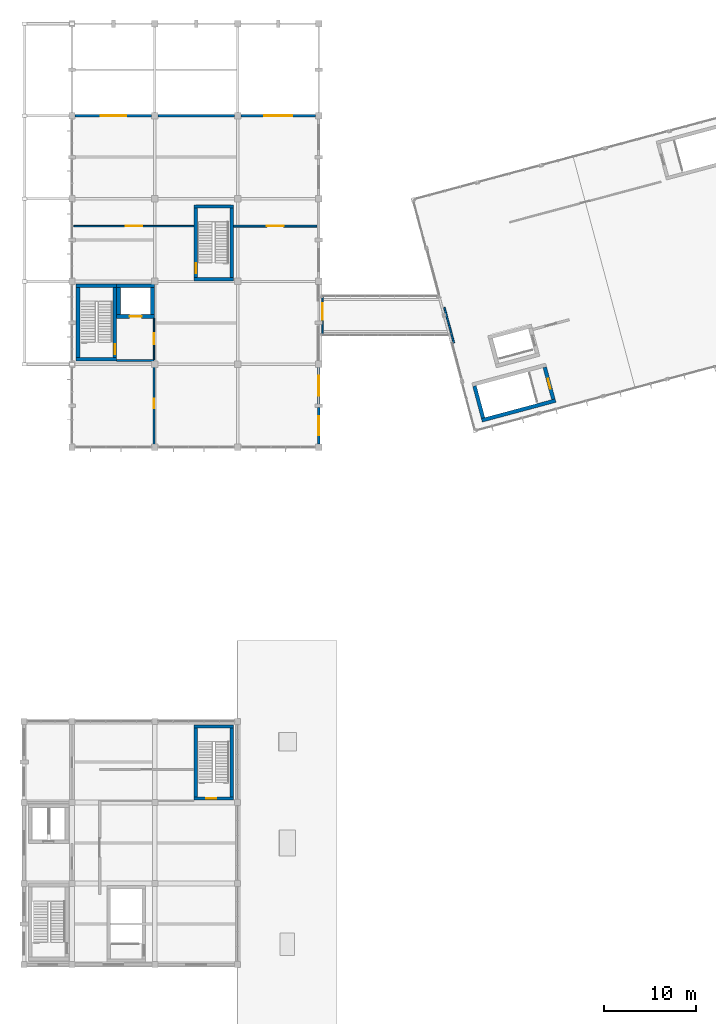
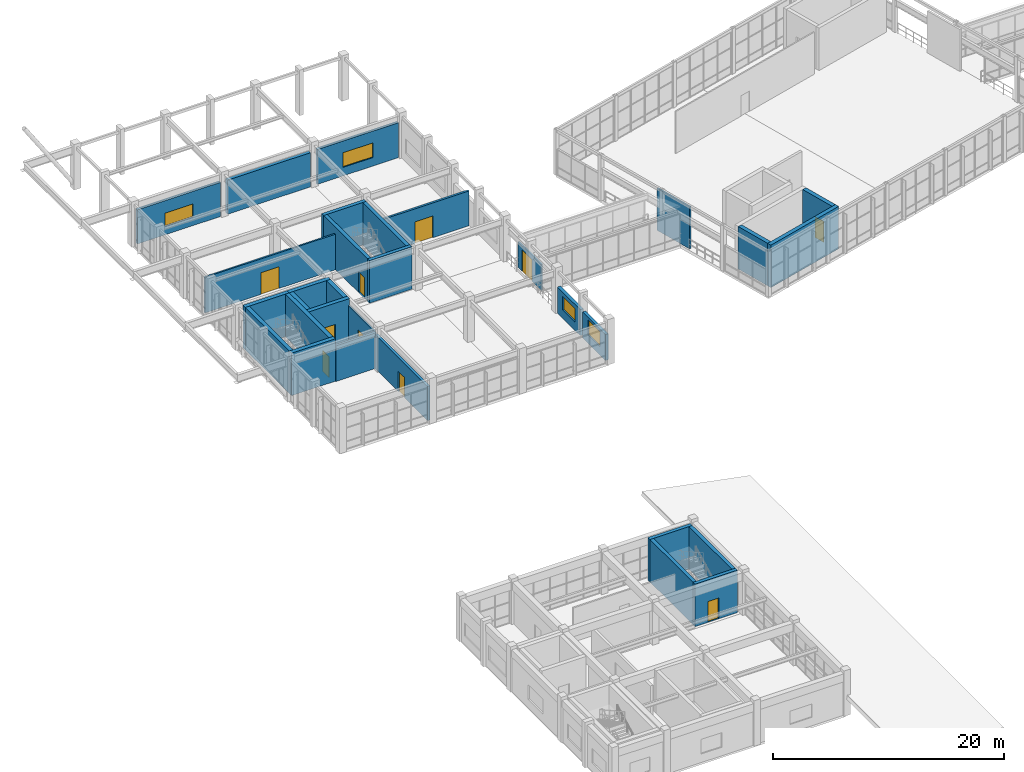
# One storey, part 82 of 99: 31 walls, 10 doors, 4 windows, 14 openings.
"""IFC4 building model written with IfcOpenShell, lengths in metres."""

from ifc_helpers import new_model, si_unit, direction, frame, frame_2d, origin, place, context, subcontext, project, spatial, rectangle, extrude, material, layer, layer_set, type_object, element, fill, save


model = new_model("IFC4")

# Units and contexts
model_context = context("Model", 3, precision=1e-05, world=origin(), true_north=direction((0.0, 1.0)))
body_context = subcontext(model_context, "Body", "Model", "MODEL_VIEW")
ifc_project = project(units=[si_unit("LENGTHUNIT", "METRE"), si_unit("AREAUNIT", "SQUARE_METRE"), si_unit("VOLUMEUNIT", "CUBIC_METRE"), si_unit("PLANEANGLEUNIT", "RADIAN"), si_unit("MASSUNIT", "GRAM", prefix="KILO")], contexts=[model_context])

# Site, building, storey
site_placement = place(None, origin())
site = spatial("IfcSite", under=ifc_project, at=site_placement, CompositionType="ELEMENT")
building_placement = place(site_placement, origin())
building = spatial("IfcBuilding", under=site, at=building_placement, Name="Ventoquebrada Cableway Terminal", CompositionType="ELEMENT")
storey_placement = place(building_placement, frame((0.0, 0.0, 9.60009765625)))
storey = spatial("IfcBuildingStorey", under=building, at=storey_placement, Name="L02", CompositionType="ELEMENT", Elevation=9.60009765625)

# Wall
ifc_material_1 = material(Name="Concrete C40/50", Category="concrete")
ifc_layer_1 = layer(ifc_material_1, 0.39990234375)
ifc_layer_set_1 = layer_set([ifc_layer_1], Name="Concrete C40/50")
wall_type_1 = type_object("IfcWallType", Name="WL-CR1", PredefinedType="SHEAR", material=ifc_layer_set_1)
wall_1_placement = place(storey_placement, frame((8.64990234375, 77.550048828125, 0.0), z_axis=(0.0, 0.0, 1.0), x_axis=(1.0, 0.0, 0.0)))
element("IfcWall", 1, at=wall_1_placement, inside=storey, type_object=wall_type_1, Name="Core shear wall IW-0065", PredefinedType="SHEAR", context=body_context, shape_type="SweptSolid", body=[
    extrude(rectangle(XDim=4.400146484375, YDim=0.39990234375, at=frame_2d((2.2001953125, 0.0))), origin(), (0.0, 0.0, 1.0), 4.489990234375),
])

# Wall, opening, door
wall_2_placement = place(storey_placement, frame((12.85009765625, 77.75, 0.0), z_axis=(0.0, 0.0, 1.0), x_axis=(0.0, 1.0, 0.0)))
wall_2 = element("IfcWall", 2, at=wall_2_placement, inside=storey, type_object=wall_type_1, Name="Core shear wall IW-0066", PredefinedType="SHEAR", context=body_context, shape_type="SweptSolid", body=[
    extrude(rectangle(XDim=7.60009765625, YDim=0.39990234375, at=frame_2d((3.800048828125, 0.0))), origin(), (0.0, 0.0, 1.0), 4.489990234375),
])
opening_1_placement = place(wall_2_placement, frame((0.35009765625, 0.0, 0.0)))
opening_1 = element("IfcOpeningElement", 3, at=opening_1_placement, cuts=wall_2, Name="Opening D-008", PredefinedType="OPENING", context=body_context, shape_type="SweptSolid", body=[
    extrude(rectangle(XDim=1.10009765625, YDim=2.199951171875, at=frame_2d((0.550048828125, 1.10009765625))), frame((0.0, 0.2099609375, 0.0), z_axis=(0.0, -1.0, 0.0), x_axis=(1.0, 0.0, 0.0)), (0.0, 0.0, 1.0), 0.419921875),
])
ifc_material_2 = material(Name="Galvanized fire-rated steel door assembly", Category="steel")
door_type_1 = type_object("IfcDoorType", Name="DT-IN05", OperationType="SINGLE_SWING_LEFT", PredefinedType="DOOR", material=ifc_material_2)
door_1_placement = place(opening_1_placement, origin())
door_1 = element("IfcDoor", 4, at=door_1_placement, inside=storey, type_object=door_type_1, Name="Core K3-S stair fire door D-008", OperationType="SINGLE_SWING_LEFT", OverallHeight=2.199951171875, OverallWidth=1.10009765625, PredefinedType="DOOR", context=body_context, shape_type="SweptSolid", body=[
    extrude(rectangle(XDim=1.10009765625, YDim=2.199951171875, at=frame_2d((0.550048828125, 1.10009765625))), frame((0.0, 0.02490234375, 0.0), z_axis=(0.0, -1.0, 0.0), x_axis=(1.0, 0.0, 0.0)), (0.0, 0.0, 1.0), 0.050048828125),
])
fill(opening_1, door_1)

# Walls
wall_3_placement = place(storey_placement, frame((13.050048828125, 85.550048828125, 0.0), z_axis=(0.0, 0.0, 1.0), x_axis=(-1.0, 0.0, 0.0)))
element("IfcWall", 5, at=wall_3_placement, inside=storey, type_object=wall_type_1, Name="Core shear wall IW-0067", PredefinedType="SHEAR", context=body_context, shape_type="SweptSolid", body=[
    extrude(rectangle(XDim=4.400146484375, YDim=0.39990234375, at=frame_2d((2.2001953125, 0.0))), origin(), (0.0, 0.0, 1.0), 4.489990234375),
])
wall_4_placement = place(storey_placement, frame((8.85009765625, 85.35009765625, 0.0), z_axis=(0.0, 0.0, 1.0), x_axis=(0.0, -1.0, 0.0)))
element("IfcWall", 6, at=wall_4_placement, inside=storey, type_object=wall_type_1, Name="Core shear wall IW-0068", PredefinedType="SHEAR", context=body_context, shape_type="SweptSolid", body=[
    extrude(rectangle(XDim=7.60009765625, YDim=0.39990234375, at=frame_2d((3.800048828125, 0.0))), origin(), (0.0, 0.0, 1.0), 4.489990234375),
])

# Wall, opening, door
wall_5_placement = place(storey_placement, frame((13.050048828125, 82.199951171875, 0.0), z_axis=(0.0, 0.0, 1.0), x_axis=(1.0, 0.0, 0.0)))
wall_5 = element("IfcWall", 7, at=wall_5_placement, inside=storey, type_object=wall_type_1, Name="Core shear wall IW-0069", PredefinedType="SHEAR", context=body_context, shape_type="SweptSolid", body=[
    extrude(rectangle(XDim=4.099853515625, YDim=0.39990234375, at=frame_2d((2.0498046875, 0.0))), origin(), (0.0, 0.0, 1.0), 4.489990234375),
])
opening_2_placement = place(wall_5_placement, frame((1.39990234375, 0.0, 0.0)))
opening_2 = element("IfcOpeningElement", 8, at=opening_2_placement, cuts=wall_5, Name="Opening LD-008", PredefinedType="OPENING", context=body_context, shape_type="SweptSolid", body=[
    extrude(rectangle(XDim=1.300048828125, YDim=2.25, at=frame_2d((0.64990234375, 1.125))), frame((0.0, 0.2099609375, 0.0), z_axis=(0.0, -1.0, 0.0), x_axis=(1.0, 0.0, 0.0)), (0.0, 0.0, 1.0), 0.419921875),
])
ifc_material_3 = material(Name="Brushed stainless steel Grade 316", Category="steel")
door_type_2 = type_object("IfcDoorType", Name="DT-LD02", OperationType="SLIDING_TO_RIGHT", PredefinedType="DOOR", material=ifc_material_3)
door_2_placement = place(opening_2_placement, origin())
door_2 = element("IfcDoor", 9, at=door_2_placement, inside=storey, type_object=door_type_2, Name="Lift landing sliding door LD-008", OperationType="SLIDING_TO_LEFT", OverallHeight=2.25, OverallWidth=1.300048828125, PredefinedType="DOOR", context=body_context, shape_type="SweptSolid", body=[
    extrude(rectangle(XDim=1.300048828125, YDim=2.25, at=frame_2d((0.64990234375, 1.125))), frame((0.0, 0.02490234375, 0.0), z_axis=(0.0, -1.0, 0.0), x_axis=(1.0, 0.0, 0.0)), (0.0, 0.0, 1.0), 0.050048828125),
])
fill(opening_2, door_2)

# Walls
wall_6_placement = place(storey_placement, frame((16.949951171875, 82.39990234375, 0.0), z_axis=(0.0, 0.0, 1.0), x_axis=(0.0, 1.0, 0.0)))
element("IfcWall", 10, at=wall_6_placement, inside=storey, type_object=wall_type_1, Name="Core shear wall IW-0070", PredefinedType="SHEAR", context=body_context, shape_type="SweptSolid", body=[
    extrude(rectangle(XDim=2.9501953125, YDim=0.39990234375, at=frame_2d((1.47509765625, 0.0))), origin(), (0.0, 0.0, 1.0), 4.489990234375),
])
wall_7_placement = place(storey_placement, frame((17.14990234375, 85.550048828125, 0.0), z_axis=(0.0, 0.0, 1.0), x_axis=(-1.0, 0.0, 0.0)))
element("IfcWall", 11, at=wall_7_placement, inside=storey, type_object=wall_type_1, Name="Core shear wall IW-0071", PredefinedType="SHEAR", context=body_context, shape_type="SweptSolid", body=[
    extrude(rectangle(XDim=4.099853515625, YDim=0.39990234375, at=frame_2d((2.0498046875, 0.0))), origin(), (0.0, 0.0, 1.0), 4.489990234375),
])
wall_8_placement = place(storey_placement, frame((13.25, 85.35009765625, 0.0), z_axis=(0.0, 0.0, 1.0), x_axis=(0.0, -1.0, 0.0)))
element("IfcWall", 12, at=wall_8_placement, inside=storey, type_object=wall_type_1, Name="Core shear wall IW-0072", PredefinedType="SHEAR", context=body_context, shape_type="SweptSolid", body=[
    extrude(rectangle(XDim=2.9501953125, YDim=0.39990234375, at=frame_2d((1.47509765625, 0.0))), origin(), (0.0, 0.0, 1.0), 4.489990234375),
])
wall_9_placement = place(storey_placement, frame((52.7109375, 70.912109375, 0.0), z_axis=(0.0, 0.0, 1.0), x_axis=(0.965903141159, 0.258903692322, 0.0)))
element("IfcWall", 13, at=wall_9_placement, inside=storey, type_object=wall_type_1, Name="Core shear wall IW-0113", PredefinedType="SHEAR", context=body_context, shape_type="SweptSolid", body=[
    extrude(rectangle(XDim=8.300048828125, YDim=0.39990234375, at=frame_2d((4.14990234375, 0.0))), origin(), (0.0, 0.0, 1.0), 4.489990234375),
])

# Wall, opening, door
wall_10_placement = place(storey_placement, frame((60.48291015625, 73.201904296875, 0.0), z_axis=(0.0, 0.0, 1.0), x_axis=(-0.258553052639, 0.965997059504, 0.0)))
wall_10 = element("IfcWall", 14, at=wall_10_placement, inside=storey, type_object=wall_type_1, Name="Core shear wall IW-0114", PredefinedType="SHEAR", context=body_context, shape_type="SweptSolid", body=[
    extrude(rectangle(XDim=3.600341796875, YDim=0.39990234375, at=frame_2d((1.80029296875, 0.0))), origin(), (0.0, 0.0, 1.0), 4.489990234375),
])
opening_3_placement = place(wall_10_placement, frame((1.199951171875, 0.0, 0.0)))
opening_3 = element("IfcOpeningElement", 15, at=opening_3_placement, cuts=wall_10, Name="Opening D-014", PredefinedType="OPENING", context=body_context, shape_type="SweptSolid", body=[
    extrude(rectangle(XDim=1.10009765625, YDim=2.199951171875, at=frame_2d((0.550048828125, 1.10009765625))), frame((0.0, 0.2099609375, 0.0), z_axis=(0.0, -1.0, 0.0), x_axis=(1.0, 0.0, 0.0)), (0.0, 0.0, 1.0), 0.419921875),
])
door_3_placement = place(opening_3_placement, origin())
door_3 = element("IfcDoor", 16, at=door_3_placement, inside=storey, type_object=door_type_1, Name="Core K2-S stair fire door D-014", OperationType="SINGLE_SWING_LEFT", OverallHeight=2.199951171875, OverallWidth=1.10009765625, PredefinedType="DOOR", context=body_context, shape_type="SweptSolid", body=[
    extrude(rectangle(XDim=1.10009765625, YDim=2.199951171875, at=frame_2d((0.550048828125, 1.10009765625))), frame((0.0, 0.02490234375, 0.0), z_axis=(0.0, -1.0, 0.0), x_axis=(1.0, 0.0, 0.0)), (0.0, 0.0, 1.0), 0.050048828125),
])
fill(opening_3, door_3)

# Wall
wall_11_placement = place(storey_placement, frame((51.9208984375, 74.635009765625, 0.0), z_axis=(0.0, 0.0, 1.0), x_axis=(0.258616326312, -0.965980121827, 0.0)))
element("IfcWall", 17, at=wall_11_placement, inside=storey, type_object=wall_type_1, Name="Core shear wall IW-0116", PredefinedType="SHEAR", context=body_context, shape_type="SweptSolid", body=[
    extrude(rectangle(XDim=3.6005859375, YDim=0.39990234375, at=frame_2d((1.80029296875, 0.0))), origin(), (0.0, 0.0, 1.0), 4.489990234375),
])

# Wall, opening, window
ifc_material_4 = material(Name="Precast architectural concrete C40/50", Category="concrete")
ifc_layer_2 = layer(ifc_material_4, 0.280029296875)
ifc_layer_set_2 = layer_set([ifc_layer_2], Name="Precast architectural concrete C40/50")
wall_type_2 = type_object("IfcWallType", Name="WL-EX1", PredefinedType="SOLIDWALL", material=ifc_layer_set_2)
wall_12_placement = place(storey_placement, frame((35.0, 68.344970703125, 0.0), z_axis=(0.0, 0.0, 1.0), x_axis=(0.0, 1.0, 0.0)))
wall_12 = element("IfcWall", 18, at=wall_12_placement, inside=storey, type_object=wall_type_2, Name="Exterior architectural wall EW-0154", PredefinedType="SOLIDWALL", context=body_context, shape_type="SweptSolid", body=[
    extrude(rectangle(XDim=3.9599609375, YDim=0.280029296875, at=frame_2d((1.97998046875, 0.0))), origin(), (0.0, 0.0, 1.0), 2.751953125),
])
opening_4_placement = place(wall_12_placement, frame((0.929931640625, 0.0, 0.89990234375)))
opening_4 = element("IfcOpeningElement", 19, at=opening_4_placement, cuts=wall_12, Name="Opening WN-068", PredefinedType="OPENING", context=body_context, shape_type="SweptSolid", body=[
    extrude(rectangle(XDim=2.10009765625, YDim=1.550048828125, at=frame_2d((1.050048828125, 0.77490234375))), frame((0.0, 0.14990234375, 0.0), z_axis=(0.0, -1.0, 0.0), x_axis=(1.0, 0.0, 0.0)), (0.0, 0.0, 1.0), 0.300048828125),
])
ifc_material_5 = material(Name="Double low-e laminated safety glazing", Category="glass")
window_type_1 = type_object("IfcWindowType", Name="WT-08", PartitioningType="SINGLE_PANEL", PredefinedType="WINDOW", material=ifc_material_5)
window_1_placement = place(opening_4_placement, origin())
window_1 = element("IfcWindow", 20, at=window_1_placement, inside=storey, type_object=window_type_1, Name="Architectural punched window WN-068", OverallHeight=1.550048828125, OverallWidth=2.10009765625, PartitioningType="SINGLE_PANEL", PredefinedType="WINDOW", context=body_context, shape_type="SweptSolid", body=[
    extrude(rectangle(XDim=2.10009765625, YDim=1.550048828125, at=frame_2d((1.050048828125, 0.77490234375))), frame((0.0, 0.030029296875, 0.0), z_axis=(0.0, -1.0, 0.0), x_axis=(1.0, 0.0, 0.0)), (0.0, 0.0, 1.0), 0.06005859375),
])
fill(opening_4, window_1)

wall_13_placement = place(storey_placement, frame((16.85498046875, 104.0, 0.0), z_axis=(0.0, 0.0, 1.0), x_axis=(-1.0, 0.0, 0.0)))
wall_13 = element("IfcWall", 21, at=wall_13_placement, inside=storey, type_object=wall_type_2, Name="Exterior architectural wall EW-0160", PredefinedType="SOLIDWALL", context=body_context, shape_type="SweptSolid", body=[
    extrude(rectangle(XDim=8.31005859375, YDim=0.280029296875, at=frame_2d((4.155029296875, 0.0))), origin(), (0.0, 0.0, 1.0), 3.614013671875),
])
opening_5_placement = place(wall_13_placement, frame((2.7548828125, 0.0, 0.89990234375)))
opening_5 = element("IfcOpeningElement", 22, at=opening_5_placement, cuts=wall_13, Name="Opening WN-073", PredefinedType="OPENING", context=body_context, shape_type="SweptSolid", body=[
    extrude(rectangle(XDim=2.800048828125, YDim=1.39990234375, at=frame_2d((1.39990234375, 0.699951171875))), frame((0.0, 0.14990234375, 0.0), z_axis=(0.0, -1.0, 0.0), x_axis=(1.0, 0.0, 0.0)), (0.0, 0.0, 1.0), 0.300048828125),
])
window_type_2 = type_object("IfcWindowType", Name="WT-13", PartitioningType="SINGLE_PANEL", PredefinedType="WINDOW", material=ifc_material_5)
window_2_placement = place(opening_5_placement, origin())
window_2 = element("IfcWindow", 23, at=window_2_placement, inside=storey, type_object=window_type_2, Name="Architectural punched window WN-073", OverallHeight=1.39990234375, OverallWidth=2.800048828125, PartitioningType="SINGLE_PANEL", PredefinedType="WINDOW", context=body_context, shape_type="SweptSolid", body=[
    extrude(rectangle(XDim=2.800048828125, YDim=1.39990234375, at=frame_2d((1.39990234375, 0.699951171875))), frame((0.0, 0.030029296875, 0.0), z_axis=(0.0, -1.0, 0.0), x_axis=(1.0, 0.0, 0.0)), (0.0, 0.0, 1.0), 0.06005859375),
])
fill(opening_5, window_2)

wall_14_placement = place(storey_placement, frame((34.655029296875, 104.0, 0.0), z_axis=(0.0, 0.0, 1.0), x_axis=(-1.0, 0.0, 0.0)))
wall_14 = element("IfcWall", 24, at=wall_14_placement, inside=storey, type_object=wall_type_2, Name="Exterior architectural wall EW-0162", PredefinedType="SOLIDWALL", context=body_context, shape_type="SweptSolid", body=[
    extrude(rectangle(XDim=8.110107421875, YDim=0.280029296875, at=frame_2d((4.05517578125, 0.0))), origin(), (0.0, 0.0, 1.0), 3.68701171875),
])
opening_6_placement = place(wall_14_placement, frame((2.554931640625, 0.0, 0.89990234375)))
opening_6 = element("IfcOpeningElement", 25, at=opening_6_placement, cuts=wall_14, Name="Opening WN-074", PredefinedType="OPENING", context=body_context, shape_type="SweptSolid", body=[
    extrude(rectangle(XDim=3.0, YDim=1.550048828125, at=frame_2d((1.5, 0.77490234375))), frame((0.0, 0.14990234375, 0.0), z_axis=(0.0, -1.0, 0.0), x_axis=(1.0, 0.0, 0.0)), (0.0, 0.0, 1.0), 0.300048828125),
])
window_type_3 = type_object("IfcWindowType", Name="WT-14", PartitioningType="SINGLE_PANEL", PredefinedType="WINDOW", material=ifc_material_5)
window_3_placement = place(opening_6_placement, origin())
window_3 = element("IfcWindow", 26, at=window_3_placement, inside=storey, type_object=window_type_3, Name="Architectural punched window WN-074", OverallHeight=1.550048828125, OverallWidth=3.0, PartitioningType="SINGLE_PANEL", PredefinedType="WINDOW", context=body_context, shape_type="SweptSolid", body=[
    extrude(rectangle(XDim=3.0, YDim=1.550048828125, at=frame_2d((1.5, 0.77490234375))), frame((0.0, 0.030029296875, 0.0), z_axis=(0.0, -1.0, 0.0), x_axis=(1.0, 0.0, 0.0)), (0.0, 0.0, 1.0), 0.06005859375),
])
fill(opening_6, window_3)

ifc_layer_3 = layer(ifc_material_4, 0.320068359375)
ifc_layer_set_3 = layer_set([ifc_layer_3], Name="Precast architectural concrete C40/50")
wall_type_3 = type_object("IfcWallType", Name="WL-EX2", PredefinedType="SOLIDWALL", material=ifc_layer_set_3)
wall_15_placement = place(storey_placement, frame((35.0, 72.695068359375, 0.0), z_axis=(0.0, 0.0, 1.0), x_axis=(0.0, 1.0, 0.0)))
wall_15 = element("IfcWall", 27, at=wall_15_placement, inside=storey, type_object=wall_type_3, Name="Exterior architectural wall EW-0155", PredefinedType="SOLIDWALL", context=body_context, shape_type="SweptSolid", body=[
    extrude(rectangle(XDim=3.9599609375, YDim=0.320068359375, at=frame_2d((1.97998046875, 0.0))), origin(), (0.0, 0.0, 1.0), 2.751953125),
])
opening_7_placement = place(wall_15_placement, frame((0.8798828125, 0.0, 0.89990234375)))
opening_7 = element("IfcOpeningElement", 28, at=opening_7_placement, cuts=wall_15, Name="Opening WN-069", PredefinedType="OPENING", context=body_context, shape_type="SweptSolid", body=[
    extrude(rectangle(XDim=2.199951171875, YDim=1.39990234375, at=frame_2d((1.10009765625, 0.699951171875))), frame((0.0, 0.169921875, 0.0), z_axis=(0.0, -1.0, 0.0), x_axis=(1.0, 0.0, 0.0)), (0.0, 0.0, 1.0), 0.340087890625),
])
window_type_4 = type_object("IfcWindowType", Name="WT-09", PartitioningType="SINGLE_PANEL", PredefinedType="WINDOW", material=ifc_material_5)
window_4_placement = place(opening_7_placement, origin())
window_4 = element("IfcWindow", 29, at=window_4_placement, inside=storey, type_object=window_type_4, Name="Architectural punched window WN-069", OverallHeight=1.39990234375, OverallWidth=2.199951171875, PartitioningType="SINGLE_PANEL", PredefinedType="WINDOW", context=body_context, shape_type="SweptSolid", body=[
    extrude(rectangle(XDim=2.199951171875, YDim=1.39990234375, at=frame_2d((1.10009765625, 0.699951171875))), frame((0.0, 0.030029296875, 0.0), z_axis=(0.0, -1.0, 0.0), x_axis=(1.0, 0.0, 0.0)), (0.0, 0.0, 1.0), 0.06005859375),
])
fill(opening_7, window_4)

# Wall
wall_16_placement = place(storey_placement, frame((25.85498046875, 104.0, 0.0), z_axis=(0.0, 0.0, 1.0), x_axis=(-1.0, 0.0, 0.0)))
element("IfcWall", 30, at=wall_16_placement, inside=storey, type_object=wall_type_3, Name="Exterior architectural wall EW-0161", PredefinedType="SOLIDWALL", context=body_context, shape_type="SweptSolid", body=[
    extrude(rectangle(XDim=8.31005859375, YDim=0.320068359375, at=frame_2d((4.155029296875, 0.0))), origin(), (0.0, 0.0, 1.0), 3.614013671875),
])

# Wall, opening, door
ifc_material_6 = material(Name="Fire-rated gypsum partition board on steel framing", Category="steel")
ifc_layer_4 = layer(ifc_material_6, 0.14990234375)
ifc_layer_set_4 = layer_set([ifc_layer_4], Name="Fire-rated gypsum partition board on steel framing")
wall_type_4 = type_object("IfcWallType", Name="WL-PT2", PredefinedType="PARTITIONING", material=ifc_layer_set_4)
wall_17_placement = place(storey_placement, frame((35.39990234375, 80.300048828125, 0.0), z_axis=(0.0, 0.0, 1.0), x_axis=(0.0, 1.0, 0.0)))
wall_17 = element("IfcWall", 31, at=wall_17_placement, inside=storey, type_object=wall_type_4, Name="Interior partition IW-0392", PredefinedType="PARTITIONING", context=body_context, shape_type="SweptSolid", body=[
    extrude(rectangle(XDim=4.0, YDim=0.14990234375, at=frame_2d((2.0, 0.0))), origin(), (0.0, 0.0, 1.0), 2.741943359375),
])
opening_8_placement = place(wall_17_placement, frame((1.550048828125, 0.0, 0.0)))
opening_8 = element("IfcOpeningElement", 32, at=opening_8_placement, cuts=wall_17, Name="Opening D-117", PredefinedType="OPENING", context=body_context, shape_type="SweptSolid", body=[
    extrude(rectangle(XDim=1.800048828125, YDim=2.300048828125, at=frame_2d((0.89990234375, 1.14990234375))), frame((0.0, 0.0849609375, 0.0), z_axis=(0.0, -1.0, 0.0), x_axis=(1.0, 0.0, 0.0)), (0.0, 0.0, 1.0), 0.169921875),
])
door_type_3 = type_object("IfcDoorType", Name="DT-IN08", OperationType="DOUBLE_SWING_RIGHT", PredefinedType="DOOR", material=ifc_material_2)
door_4_placement = place(opening_8_placement, origin())
door_4 = element("IfcDoor", 33, at=door_4_placement, inside=storey, type_object=door_type_3, Name="Bridge LP-2 West Smoke Door D-117", OperationType="DOUBLE_SWING_RIGHT", OverallHeight=2.300048828125, OverallWidth=1.800048828125, PredefinedType="DOOR", context=body_context, shape_type="SweptSolid", body=[
    extrude(rectangle(XDim=1.800048828125, YDim=2.300048828125, at=frame_2d((0.89990234375, 1.14990234375))), frame((0.0, 0.02490234375, 0.0), z_axis=(0.0, -1.0, 0.0), x_axis=(1.0, 0.0, 0.0)), (0.0, 0.0, 1.0), 0.050048828125),
])
fill(opening_8, door_4)

# Walls
ifc_layer_5 = layer(ifc_material_6, 0.179931640625)
ifc_layer_set_5 = layer_set([ifc_layer_5], Name="Fire-rated gypsum partition board on steel framing")
wall_type_5 = type_object("IfcWallType", Name="WL-PT3", PredefinedType="STANDARD", material=ifc_layer_set_5)
wall_18_placement = place(storey_placement, frame((49.68310546875, 79.31494140625, 0.0), z_axis=(0.0, 0.0, 1.0), x_axis=(-0.258771675905, 0.965938517582, 0.0)))
element("IfcWall", 34, at=wall_18_placement, inside=storey, type_object=wall_type_5, Name="Interior partition IW-0393", PredefinedType="STANDARD", context=body_context, shape_type="SweptSolid", body=[
    extrude(rectangle(XDim=4.000244140625, YDim=0.179931640625, at=frame_2d((2.0, 0.0))), origin(), (0.0, 0.0, 1.0), 4.434814453125),
])
ifc_material_7 = material(Name="Autoclaved aerated concrete blockwork", Category="masonry")
ifc_layer_6 = layer(ifc_material_7, 0.22998046875)
ifc_layer_set_6 = layer_set([ifc_layer_6], Name="Autoclaved aerated concrete blockwork")
wall_type_6 = type_object("IfcWallType", Name="WL-PT5", PredefinedType="PARTITIONING", material=ifc_layer_set_6)
wall_19_placement = place(storey_placement, frame((13.050048828125, 77.39990234375, 0.0), z_axis=(0.0, 0.0, 1.0), x_axis=(1.0, 0.0, 0.0)))
element("IfcWall", 35, at=wall_19_placement, inside=storey, type_object=wall_type_6, Name="Interior partition IW-0385", PredefinedType="PARTITIONING", context=body_context, shape_type="SweptSolid", body=[
    extrude(rectangle(XDim=4.050048828125, YDim=0.22998046875, at=frame_2d((2.02490234375, 0.0))), origin(), (0.0, 0.0, 1.0), 3.761962890625),
])

# Wall, opening, door
ifc_layer_7 = layer(ifc_material_7, 0.260009765625)
ifc_layer_set_7 = layer_set([ifc_layer_7], Name="Autoclaved aerated concrete blockwork")
wall_type_7 = type_object("IfcWallType", Name="WL-PT6", PredefinedType="PARTITIONING", material=ifc_layer_set_7)
wall_20_placement = place(storey_placement, frame((17.10009765625, 68.199951171875, 0.0), z_axis=(0.0, 0.0, 1.0), x_axis=(0.0, 1.0, 0.0)))
wall_20 = element("IfcWall", 36, at=wall_20_placement, inside=storey, type_object=wall_type_7, Name="Interior partition IW-0386", PredefinedType="PARTITIONING", context=body_context, shape_type="SweptSolid", body=[
    extrude(rectangle(XDim=9.087158203125, YDim=0.260009765625, at=frame_2d((4.54345703125, 0.0))), origin(), (0.0, 0.0, 1.0), 3.60400390625),
])
opening_9_placement = place(wall_20_placement, frame((4.01904296875, 0.0, 0.0)))
opening_9 = element("IfcOpeningElement", 37, at=opening_9_placement, cuts=wall_20, Name="Opening D-111", PredefinedType="OPENING", context=body_context, shape_type="SweptSolid", body=[
    extrude(rectangle(XDim=1.050048828125, YDim=2.14990234375, at=frame_2d((0.52490234375, 1.074951171875))), frame((0.0, 0.139892578125, 0.0), z_axis=(0.0, -1.0, 0.0), x_axis=(1.0, 0.0, 0.0)), (0.0, 0.0, 1.0), 0.280029296875),
])
ifc_material_8 = material(Name="Fire-retardant oak acoustic door leaf")
door_type_4 = type_object("IfcDoorType", Name="DT-IN03", OperationType="SINGLE_SWING_LEFT", PredefinedType="DOOR", material=ifc_material_8)
door_5_placement = place(opening_9_placement, origin())
door_5 = element("IfcDoor", 38, at=door_5_placement, inside=storey, type_object=door_type_4, Name="L02 Public Accessible WC Door D-111", OperationType="SINGLE_SWING_RIGHT", OverallHeight=2.14990234375, OverallWidth=1.050048828125, PredefinedType="DOOR", context=body_context, shape_type="SweptSolid", body=[
    extrude(rectangle(XDim=1.050048828125, YDim=2.14990234375, at=frame_2d((0.52490234375, 1.074951171875))), frame((0.0, 0.02490234375, 0.0), z_axis=(0.0, -1.0, 0.0), x_axis=(1.0, 0.0, 0.0)), (0.0, 0.0, 1.0), 0.050048828125),
])
fill(opening_9, door_5)

ifc_layer_8 = layer(ifc_material_6, 0.135009765625)
ifc_layer_set_8 = layer_set([ifc_layer_8], Name="Fire-rated gypsum partition board on steel framing")
wall_type_8 = type_object("IfcWallType", Name="WL-PT7", PredefinedType="PARTITIONING", material=ifc_layer_set_8)
wall_21_placement = place(storey_placement, frame((17.10009765625, 77.512939453125, 0.0), z_axis=(0.0, 0.0, 1.0), x_axis=(0.0, 1.0, 0.0)))
wall_21 = element("IfcWall", 39, at=wall_21_placement, inside=storey, type_object=wall_type_8, Name="Interior partition IW-0387", PredefinedType="PARTITIONING", context=body_context, shape_type="SweptSolid", body=[
    extrude(rectangle(XDim=4.487060546875, YDim=0.135009765625, at=frame_2d((2.24365234375, 0.0))), origin(), (0.0, 0.0, 1.0), 3.761962890625),
])
opening_10_placement = place(wall_21_placement, frame((1.64306640625, 0.0, 0.0)))
opening_10 = element("IfcOpeningElement", 40, at=opening_10_placement, cuts=wall_21, Name="Opening D-112", PredefinedType="OPENING", context=body_context, shape_type="SweptSolid", body=[
    extrude(rectangle(XDim=1.199951171875, YDim=2.199951171875, at=frame_2d((0.60009765625, 1.10009765625))), frame((0.0, 0.077392578125, 0.0), z_axis=(0.0, -1.0, 0.0), x_axis=(1.0, 0.0, 0.0)), (0.0, 0.0, 1.0), 0.155029296875),
])
door_type_5 = type_object("IfcDoorType", Name="DT-IN06", OperationType="SINGLE_SWING_RIGHT", PredefinedType="DOOR", material=ifc_material_2)
door_6_placement = place(opening_10_placement, origin())
door_6 = element("IfcDoor", 41, at=door_6_placement, inside=storey, type_object=door_type_5, Name="K3 Firefighting Lobby Door D-112", OperationType="SINGLE_SWING_LEFT", OverallHeight=2.199951171875, OverallWidth=1.199951171875, PredefinedType="DOOR", context=body_context, shape_type="SweptSolid", body=[
    extrude(rectangle(XDim=1.199951171875, YDim=2.199951171875, at=frame_2d((0.60009765625, 1.10009765625))), frame((0.0, 0.02490234375, 0.0), z_axis=(0.0, -1.0, 0.0), x_axis=(1.0, 0.0, 0.0)), (0.0, 0.0, 1.0), 0.050048828125),
])
fill(opening_10, door_6)

ifc_layer_9 = layer(ifc_material_6, 0.1650390625)
ifc_layer_set_9 = layer_set([ifc_layer_9], Name="Fire-rated gypsum partition board on steel framing")
wall_type_9 = type_object("IfcWallType", Name="WL-PT8", PredefinedType="PARTITIONING", material=ifc_layer_set_9)
wall_22_placement = place(storey_placement, frame((8.39990234375, 92.0, 0.0), z_axis=(0.0, 0.0, 1.0), x_axis=(1.0, 0.0, 0.0)))
wall_22 = element("IfcWall", 42, at=wall_22_placement, inside=storey, type_object=wall_type_9, Name="Interior partition IW-0388", PredefinedType="PARTITIONING", context=body_context, shape_type="SweptSolid", body=[
    extrude(rectangle(XDim=13.050048828125, YDim=0.1650390625, at=frame_2d((6.52490234375, 0.0))), origin(), (0.0, 0.0, 1.0), 3.761962890625),
])
opening_11_placement = place(wall_22_placement, frame((5.625, 0.0, 0.0)))
opening_11 = element("IfcOpeningElement", 43, at=opening_11_placement, cuts=wall_22, Name="Opening D-113", PredefinedType="OPENING", context=body_context, shape_type="SweptSolid", body=[
    extrude(rectangle(XDim=1.800048828125, YDim=2.300048828125, at=frame_2d((0.89990234375, 1.14990234375))), frame((0.0, 0.092529296875, 0.0), z_axis=(0.0, -1.0, 0.0), x_axis=(1.0, 0.0, 0.0)), (0.0, 0.0, 1.0), 0.18505859375),
])
door_7_placement = place(opening_11_placement, origin())
door_7 = element("IfcDoor", 44, at=door_7_placement, inside=storey, type_object=door_type_3, Name="Ravine Overlook Deck Door D-113", OperationType="DOUBLE_SWING_RIGHT", OverallHeight=2.300048828125, OverallWidth=1.800048828125, PredefinedType="DOOR", context=body_context, shape_type="SweptSolid", body=[
    extrude(rectangle(XDim=1.800048828125, YDim=2.300048828125, at=frame_2d((0.89990234375, 1.14990234375))), frame((0.0, 0.02490234375, 0.0), z_axis=(0.0, -1.0, 0.0), x_axis=(1.0, 0.0, 0.0)), (0.0, 0.0, 1.0), 0.050048828125),
])
fill(opening_11, door_7)

ifc_layer_10 = layer(ifc_material_7, 0.215087890625)
ifc_layer_set_10 = layer_set([ifc_layer_10], Name="Autoclaved aerated concrete blockwork")
wall_type_10 = type_object("IfcWallType", Name="WL-PT9", PredefinedType="PARTITIONING", material=ifc_layer_set_10)
wall_23_placement = place(storey_placement, frame((25.75, 92.0, 0.0), z_axis=(0.0, 0.0, 1.0), x_axis=(1.0, 0.0, 0.0)))
wall_23 = element("IfcWall", 45, at=wall_23_placement, inside=storey, type_object=wall_type_10, Name="Interior partition IW-0389", PredefinedType="PARTITIONING", context=body_context, shape_type="SweptSolid", body=[
    extrude(rectangle(XDim=9.050048828125, YDim=0.215087890625, at=frame_2d((4.52490234375, 0.0))), origin(), (0.0, 0.0, 1.0), 3.677001953125),
])
opening_12_placement = place(wall_23_placement, frame((3.625, 0.0, 0.0)))
opening_12 = element("IfcOpeningElement", 46, at=opening_12_placement, cuts=wall_23, Name="Opening D-114", PredefinedType="OPENING", context=body_context, shape_type="SweptSolid", body=[
    extrude(rectangle(XDim=1.800048828125, YDim=2.300048828125, at=frame_2d((0.89990234375, 1.14990234375))), frame((0.0, 0.117431640625, 0.0), z_axis=(0.0, -1.0, 0.0), x_axis=(1.0, 0.0, 0.0)), (0.0, 0.0, 1.0), 0.235107421875),
])
door_8_placement = place(opening_12_placement, origin())
door_8 = element("IfcDoor", 47, at=door_8_placement, inside=storey, type_object=door_type_3, Name="Boarding Level Bistro Door D-114", OperationType="DOUBLE_SWING_LEFT", OverallHeight=2.300048828125, OverallWidth=1.800048828125, PredefinedType="DOOR", context=body_context, shape_type="SweptSolid", body=[
    extrude(rectangle(XDim=1.800048828125, YDim=2.300048828125, at=frame_2d((0.89990234375, 1.14990234375))), frame((0.0, 0.02490234375, 0.0), z_axis=(0.0, -1.0, 0.0), x_axis=(1.0, 0.0, 0.0)), (0.0, 0.0, 1.0), 0.050048828125),
])
fill(opening_12, door_8)

ifc_layer_11 = layer(ifc_material_1, 0.35009765625)
ifc_layer_set_11 = layer_set([ifc_layer_11], Name="Concrete C40/50")
wall_type_11 = type_object("IfcWallType", Name="WL-SH1", PredefinedType="SHEAR", material=ifc_layer_set_11)
wall_24_placement = place(storey_placement, frame((21.47509765625, 29.85009765625, 0.0), z_axis=(0.0, 0.0, 1.0), x_axis=(1.0, 0.0, 0.0)))
wall_24 = element("IfcWall", 48, at=wall_24_placement, inside=storey, type_object=wall_type_11, Name="Core shear wall IW-0197", PredefinedType="SHEAR", context=body_context, shape_type="SweptSolid", body=[
    extrude(rectangle(XDim=4.25, YDim=0.35009765625, at=frame_2d((2.125, 0.0))), origin(), (0.0, 0.0, 1.0), 4.489990234375),
])
opening_13_placement = place(wall_24_placement, frame((1.300048828125, 0.0, 0.0)))
opening_13 = element("IfcOpeningElement", 49, at=opening_13_placement, cuts=wall_24, Name="Opening D-026", PredefinedType="OPENING", context=body_context, shape_type="SweptSolid", body=[
    extrude(rectangle(XDim=1.10009765625, YDim=2.199951171875, at=frame_2d((0.550048828125, 1.10009765625))), frame((0.0, 0.18505859375, 0.0), z_axis=(0.0, -1.0, 0.0), x_axis=(1.0, 0.0, 0.0)), (0.0, 0.0, 1.0), 0.3701171875),
])
door_9_placement = place(opening_13_placement, origin())
door_9 = element("IfcDoor", 50, at=door_9_placement, inside=storey, type_object=door_type_1, Name="Core V5-SEC stair fire door D-026", OperationType="SINGLE_SWING_LEFT", OverallHeight=2.199951171875, OverallWidth=1.10009765625, PredefinedType="DOOR", context=body_context, shape_type="SweptSolid", body=[
    extrude(rectangle(XDim=1.10009765625, YDim=2.199951171875, at=frame_2d((0.550048828125, 1.10009765625))), frame((0.0, 0.02490234375, 0.0), z_axis=(0.0, -1.0, 0.0), x_axis=(1.0, 0.0, 0.0)), (0.0, 0.0, 1.0), 0.050048828125),
])
fill(opening_13, door_9)

# Walls
wall_25_placement = place(storey_placement, frame((25.550048828125, 30.02490234375, 0.0), z_axis=(0.0, 0.0, 1.0), x_axis=(0.0, 1.0, 0.0)))
element("IfcWall", 51, at=wall_25_placement, inside=storey, type_object=wall_type_11, Name="Core shear wall IW-0198", PredefinedType="SHEAR", context=body_context, shape_type="SweptSolid", body=[
    extrude(rectangle(XDim=7.4501953125, YDim=0.35009765625, at=frame_2d((3.72509765625, 0.0))), origin(), (0.0, 0.0, 1.0), 4.489990234375),
])
wall_26_placement = place(storey_placement, frame((25.72509765625, 37.64990234375, 0.0), z_axis=(0.0, 0.0, 1.0), x_axis=(-1.0, 0.0, 0.0)))
element("IfcWall", 52, at=wall_26_placement, inside=storey, type_object=wall_type_11, Name="Core shear wall IW-0199", PredefinedType="SHEAR", context=body_context, shape_type="SweptSolid", body=[
    extrude(rectangle(XDim=4.25, YDim=0.35009765625, at=frame_2d((2.125, 0.0))), origin(), (0.0, 0.0, 1.0), 4.489990234375),
])
wall_27_placement = place(storey_placement, frame((21.64990234375, 37.47509765625, 0.0), z_axis=(0.0, 0.0, 1.0), x_axis=(0.0, -1.0, 0.0)))
element("IfcWall", 53, at=wall_27_placement, inside=storey, type_object=wall_type_11, Name="Core shear wall IW-0200", PredefinedType="SHEAR", context=body_context, shape_type="SweptSolid", body=[
    extrude(rectangle(XDim=7.4501953125, YDim=0.35009765625, at=frame_2d((3.72509765625, 0.0))), origin(), (0.0, 0.0, 1.0), 4.489990234375),
])
wall_28_placement = place(storey_placement, frame((21.47509765625, 86.25, 0.0), z_axis=(0.0, 0.0, 1.0), x_axis=(1.0, 0.0, 0.0)))
element("IfcWall", 54, at=wall_28_placement, inside=storey, type_object=wall_type_11, Name="Core shear wall IW-0217", PredefinedType="SHEAR", context=body_context, shape_type="SweptSolid", body=[
    extrude(rectangle(XDim=4.25, YDim=0.35009765625, at=frame_2d((2.125, 0.0))), origin(), (0.0, 0.0, 1.0), 4.489990234375),
])
wall_29_placement = place(storey_placement, frame((25.550048828125, 86.425048828125, 0.0), z_axis=(0.0, 0.0, 1.0), x_axis=(0.0, 1.0, 0.0)))
element("IfcWall", 55, at=wall_29_placement, inside=storey, type_object=wall_type_11, Name="Core shear wall IW-0218", PredefinedType="SHEAR", context=body_context, shape_type="SweptSolid", body=[
    extrude(rectangle(XDim=7.550048828125, YDim=0.35009765625, at=frame_2d((3.77490234375, 0.0))), origin(), (0.0, 0.0, 1.0), 4.489990234375),
])
wall_30_placement = place(storey_placement, frame((25.72509765625, 94.14990234375, 0.0), z_axis=(0.0, 0.0, 1.0), x_axis=(-1.0, 0.0, 0.0)))
element("IfcWall", 56, at=wall_30_placement, inside=storey, type_object=wall_type_11, Name="Core shear wall IW-0219", PredefinedType="SHEAR", context=body_context, shape_type="SweptSolid", body=[
    extrude(rectangle(XDim=4.25, YDim=0.35009765625, at=frame_2d((2.125, 0.0))), origin(), (0.0, 0.0, 1.0), 4.489990234375),
])

# Wall, opening, door
wall_31_placement = place(storey_placement, frame((21.64990234375, 93.97509765625, 0.0), z_axis=(0.0, 0.0, 1.0), x_axis=(0.0, -1.0, 0.0)))
wall_31 = element("IfcWall", 57, at=wall_31_placement, inside=storey, type_object=wall_type_11, Name="Core shear wall IW-0220", PredefinedType="SHEAR", context=body_context, shape_type="SweptSolid", body=[
    extrude(rectangle(XDim=7.550048828125, YDim=0.35009765625, at=frame_2d((3.77490234375, 0.0))), origin(), (0.0, 0.0, 1.0), 4.489990234375),
])
opening_14_placement = place(wall_31_placement, frame((6.0, 0.0, 0.0)))
opening_14 = element("IfcOpeningElement", 58, at=opening_14_placement, cuts=wall_31, Name="Opening D-030", PredefinedType="OPENING", context=body_context, shape_type="SweptSolid", body=[
    extrude(rectangle(XDim=1.10009765625, YDim=2.199951171875, at=frame_2d((0.550048828125, 1.10009765625))), frame((0.0, 0.18505859375, 0.0), z_axis=(0.0, -1.0, 0.0), x_axis=(1.0, 0.0, 0.0)), (0.0, 0.0, 1.0), 0.3701171875),
])
door_10_placement = place(opening_14_placement, origin())
door_10 = element("IfcDoor", 59, at=door_10_placement, inside=storey, type_object=door_type_1, Name="Core V3-SEC stair fire door D-030", OperationType="SINGLE_SWING_LEFT", OverallHeight=2.199951171875, OverallWidth=1.10009765625, PredefinedType="DOOR", context=body_context, shape_type="SweptSolid", body=[
    extrude(rectangle(XDim=1.10009765625, YDim=2.199951171875, at=frame_2d((0.550048828125, 1.10009765625))), frame((0.0, 0.02490234375, 0.0), z_axis=(0.0, -1.0, 0.0), x_axis=(1.0, 0.0, 0.0)), (0.0, 0.0, 1.0), 0.050048828125),
])
fill(opening_14, door_10)

save(model, "model.ifc")
